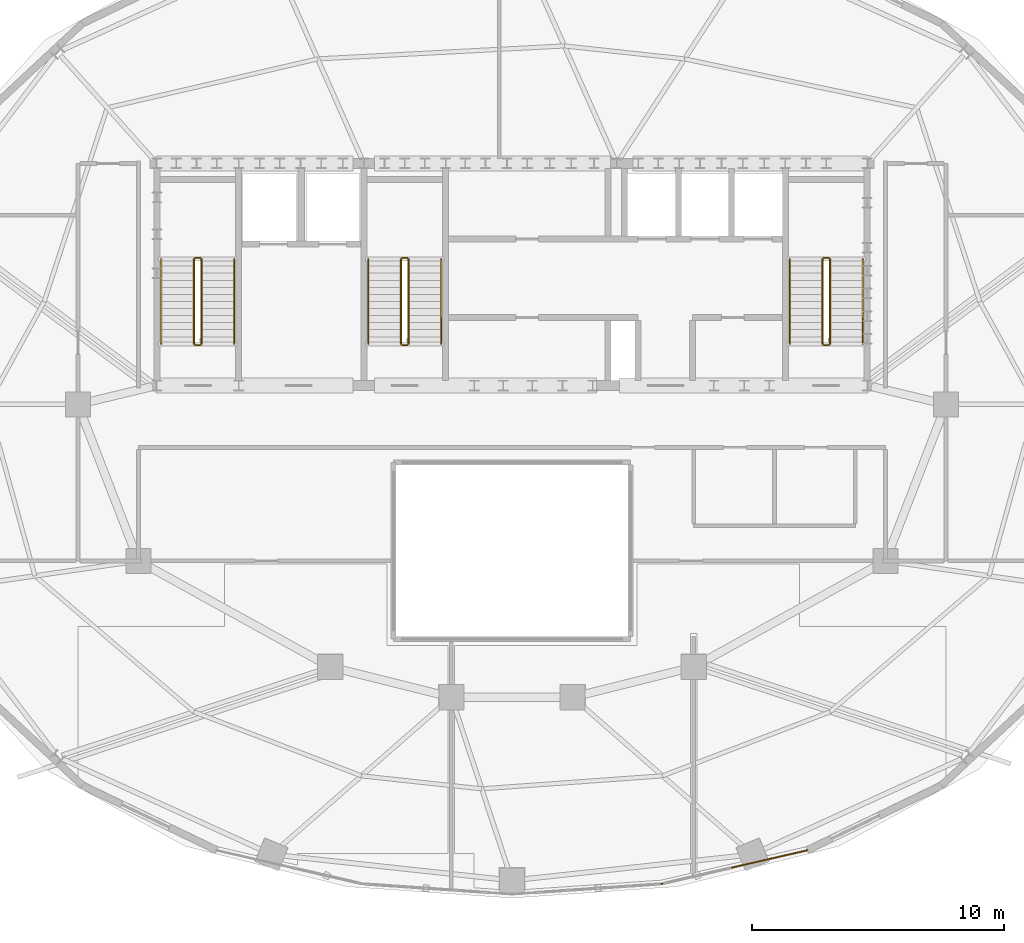
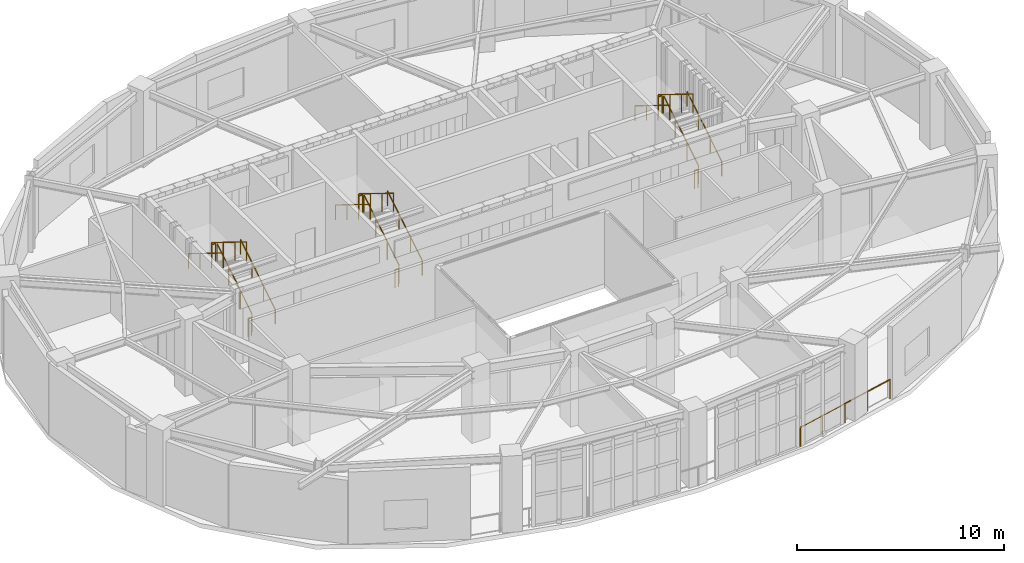
# One storey, part 11 of 11: 19 railings.
"""IFC4 building model written with IfcOpenShell, lengths in metres."""

from ifc_helpers import new_model, si_unit, direction, frame, origin, origin_2d, place, context, subcontext, project, spatial, rectangle, extrude, material, type_object, element, save


model = new_model("IFC4")

# Units and contexts
model_context = context("Model", 3, precision=1e-05, world=origin(), true_north=direction((0.0, 1.0)))
body_context = subcontext(model_context, "Body", "Model", "MODEL_VIEW")
ifc_project = project(units=[si_unit("LENGTHUNIT", "METRE"), si_unit("AREAUNIT", "SQUARE_METRE"), si_unit("VOLUMEUNIT", "CUBIC_METRE"), si_unit("PLANEANGLEUNIT", "RADIAN"), si_unit("MASSUNIT", "GRAM", prefix="KILO")], contexts=[model_context])

# Site, building, storey
site_placement = place(None, origin())
site = spatial("IfcSite", under=ifc_project, at=site_placement, CompositionType="ELEMENT")
building_placement = place(site_placement, origin())
building = spatial("IfcBuilding", under=site, at=building_placement, Name="Haldorwick Loom Tower", CompositionType="ELEMENT")
storey_placement = place(building_placement, frame((0.0, 0.0, 247.800048828125)))
storey = spatial("IfcBuildingStorey", under=building, at=storey_placement, Name="L67", CompositionType="ELEMENT", Elevation=247.800048828125)

# Railings
ifc_material_1 = material(Name="Galvanized Steel CSA G40.21 350W", Category="steel")
railing_type_1 = type_object("IfcRailingType", Name="ARC-RLG-BAL115", PredefinedType="BALUSTRADE", material=ifc_material_1)
railing_1_placement = place(storey_placement, frame((41.91943359375, 7.006103515625, 0.0)))
element("IfcRailing", 1, at=railing_1_placement, inside=storey, type_object=railing_type_1, Name="L67 Curtain-Wall Sill Safety Guardrail 20", PredefinedType="BALUSTRADE", context=body_context, shape_type="SweptSolid", body=[
    extrude(rectangle(XDim=0.048095703125, YDim=0.048095703125, at=origin_2d()), frame((0.0, 0.0, 1.1259765625), z_axis=(0.974589984037, 0.223996345987, 0.0), x_axis=(-0.223996345987, 0.974589984037, 0.0)), (0.0, 0.0, 1.0), 5.92919921875),
    extrude(rectangle(XDim=0.0419921875, YDim=0.0419921875, at=origin_2d()), origin(), (0.0, 0.0, 1.0), 1.101806640625),
    extrude(rectangle(XDim=0.0419921875, YDim=0.0419921875, at=origin_2d()), frame((1.444580078125, 0.33203125, 0.0)), (0.0, 0.0, 1.0), 1.101806640625),
    extrude(rectangle(XDim=0.0419921875, YDim=0.0419921875, at=origin_2d()), frame((2.88916015625, 0.6640625, 0.0)), (0.0, 0.0, 1.0), 1.101806640625),
    extrude(rectangle(XDim=0.0419921875, YDim=0.0419921875, at=origin_2d()), frame((4.333984375, 0.99609375, 0.0)), (0.0, 0.0, 1.0), 1.101806640625),
    extrude(rectangle(XDim=0.0419921875, YDim=0.0419921875, at=origin_2d()), frame((5.778564453125, 1.328125, 0.0)), (0.0, 0.0, 1.0), 1.101806640625),
])
ifc_material_2 = material(Name="Steel CSA G40.21 350W", Category="steel")
railing_type_2 = type_object("IfcRailingType", Name="ARC-RLG-GUARD112", PredefinedType="GUARDRAIL", material=ifc_material_2)
railing_2_placement = place(storey_placement, frame((23.699951171875, 28.39990234375, 0.173095703125)))
element("IfcRailing", 2, at=railing_2_placement, inside=storey, type_object=railing_type_2, Name="L67 ST-01 stair guard 1", PredefinedType="GUARDRAIL", context=body_context, shape_type="SweptSolid", body=[
    extrude(rectangle(XDim=0.048095703125, YDim=0.048095703125, at=origin_2d()), frame((0.0, 0.0, 1.076171875), z_axis=(0.0, 0.850623216509, 0.525775754039), x_axis=(-1.0, 0.0, 0.0)), (0.0, 0.0, 1.0), 3.9501953125),
    extrude(rectangle(XDim=0.0419921875, YDim=0.0419921875, at=origin_2d()), origin(), (0.0, 0.0, 1.0), 1.052001953125),
    extrude(rectangle(XDim=0.0419921875, YDim=0.0419921875, at=origin_2d()), frame((0.0, 1.1201171875, 0.6923828125)), (0.0, 0.0, 1.0), 1.052001953125),
    extrude(rectangle(XDim=0.0419921875, YDim=0.0419921875, at=origin_2d()), frame((0.0, 2.239990234375, 1.384521484375)), (0.0, 0.0, 1.0), 1.052001953125),
    extrude(rectangle(XDim=0.0419921875, YDim=0.0419921875, at=origin_2d()), frame((0.0, 3.360107421875, 2.076904296875)), (0.0, 0.0, 1.0), 1.052001953125),
])
railing_3_placement = place(storey_placement, frame((23.64990234375, 31.81005859375, 2.25)))
element("IfcRailing", 3, at=railing_3_placement, inside=storey, type_object=railing_type_2, Name="L67 ST-01 stair guard 2", PredefinedType="GUARDRAIL", context=body_context, shape_type="SweptSolid", body=[
    extrude(rectangle(XDim=0.048095703125, YDim=0.048095703125, at=origin_2d()), frame((0.0, 0.0, 1.076171875), z_axis=(-1.0, 0.0, 0.0), x_axis=(0.0, -1.0, 0.0)), (0.0, 0.0, 1.0), 0.199951171875),
    extrude(rectangle(XDim=0.0419921875, YDim=0.0419921875, at=origin_2d()), origin(), (0.0, 0.0, 1.0), 1.052001953125),
    extrude(rectangle(XDim=0.0419921875, YDim=0.0419921875, at=origin_2d()), frame((-0.199951171875, 0.0, 0.0)), (0.0, 0.0, 1.0), 1.052001953125),
])
railing_4_placement = place(storey_placement, frame((23.39990234375, 31.760009765625, 2.423095703125)))
element("IfcRailing", 4, at=railing_4_placement, inside=storey, type_object=railing_type_2, Name="L67 ST-01 stair guard 3", PredefinedType="GUARDRAIL", context=body_context, shape_type="SweptSolid", body=[
    extrude(rectangle(XDim=0.048095703125, YDim=0.048095703125, at=origin_2d()), frame((0.0, 0.0, 1.076171875), z_axis=(0.0, -0.850623216509, 0.525775754039), x_axis=(1.0, 0.0, 0.0)), (0.0, 0.0, 1.0), 3.9501953125),
    extrude(rectangle(XDim=0.0419921875, YDim=0.0419921875, at=origin_2d()), origin(), (0.0, 0.0, 1.0), 1.052001953125),
    extrude(rectangle(XDim=0.0419921875, YDim=0.0419921875, at=origin_2d()), frame((0.0, -1.1201171875, 0.6923828125)), (0.0, 0.0, 1.0), 1.052001953125),
    extrude(rectangle(XDim=0.0419921875, YDim=0.0419921875, at=origin_2d()), frame((0.0, -2.239990234375, 1.384521484375)), (0.0, 0.0, 1.0), 1.052001953125),
    extrude(rectangle(XDim=0.0419921875, YDim=0.0419921875, at=origin_2d()), frame((0.0, -3.360107421875, 2.076904296875)), (0.0, 0.0, 1.0), 1.052001953125),
])
railing_5_placement = place(storey_placement, frame((23.64990234375, 28.35009765625, 0.0)))
element("IfcRailing", 5, at=railing_5_placement, inside=storey, type_object=railing_type_2, Name="L67 ST-01 stair guard 4", PredefinedType="GUARDRAIL", context=body_context, shape_type="SweptSolid", body=[
    extrude(rectangle(XDim=0.048095703125, YDim=0.048095703125, at=origin_2d()), frame((0.0, 0.0, 1.076171875), z_axis=(-1.0, 0.0, 0.0), x_axis=(0.0, -1.0, 0.0)), (0.0, 0.0, 1.0), 0.199951171875),
    extrude(rectangle(XDim=0.0419921875, YDim=0.0419921875, at=origin_2d()), origin(), (0.0, 0.0, 1.0), 1.052001953125),
    extrude(rectangle(XDim=0.0419921875, YDim=0.0419921875, at=origin_2d()), frame((-0.199951171875, 0.0, 0.0)), (0.0, 0.0, 1.0), 1.052001953125),
])
railing_6_placement = place(storey_placement, frame((48.60009765625, 28.39990234375, 0.173095703125)))
element("IfcRailing", 6, at=railing_6_placement, inside=storey, type_object=railing_type_2, Name="L67 ST-02 stair guard 1", PredefinedType="GUARDRAIL", context=body_context, shape_type="SweptSolid", body=[
    extrude(rectangle(XDim=0.048095703125, YDim=0.048095703125, at=origin_2d()), frame((0.0, 0.0, 1.076171875), z_axis=(0.0, 0.850623216509, 0.525775754039), x_axis=(-1.0, 0.0, 0.0)), (0.0, 0.0, 1.0), 3.9501953125),
    extrude(rectangle(XDim=0.0419921875, YDim=0.0419921875, at=origin_2d()), origin(), (0.0, 0.0, 1.0), 1.052001953125),
    extrude(rectangle(XDim=0.0419921875, YDim=0.0419921875, at=origin_2d()), frame((0.0, 1.1201171875, 0.6923828125)), (0.0, 0.0, 1.0), 1.052001953125),
    extrude(rectangle(XDim=0.0419921875, YDim=0.0419921875, at=origin_2d()), frame((0.0, 2.239990234375, 1.384521484375)), (0.0, 0.0, 1.0), 1.052001953125),
    extrude(rectangle(XDim=0.0419921875, YDim=0.0419921875, at=origin_2d()), frame((0.0, 3.360107421875, 2.076904296875)), (0.0, 0.0, 1.0), 1.052001953125),
])
railing_7_placement = place(storey_placement, frame((48.550048828125, 31.81005859375, 2.25)))
element("IfcRailing", 7, at=railing_7_placement, inside=storey, type_object=railing_type_2, Name="L67 ST-02 stair guard 2", PredefinedType="GUARDRAIL", context=body_context, shape_type="SweptSolid", body=[
    extrude(rectangle(XDim=0.048095703125, YDim=0.048095703125, at=origin_2d()), frame((0.0, 0.0, 1.076171875), z_axis=(-1.0, 0.0, 0.0), x_axis=(0.0, -1.0, 0.0)), (0.0, 0.0, 1.0), 0.199951171875),
    extrude(rectangle(XDim=0.0419921875, YDim=0.0419921875, at=origin_2d()), origin(), (0.0, 0.0, 1.0), 1.052001953125),
    extrude(rectangle(XDim=0.0419921875, YDim=0.0419921875, at=origin_2d()), frame((-0.199951171875, 0.0, 0.0)), (0.0, 0.0, 1.0), 1.052001953125),
])
railing_8_placement = place(storey_placement, frame((48.300048828125, 31.760009765625, 2.423095703125)))
element("IfcRailing", 8, at=railing_8_placement, inside=storey, type_object=railing_type_2, Name="L67 ST-02 stair guard 3", PredefinedType="GUARDRAIL", context=body_context, shape_type="SweptSolid", body=[
    extrude(rectangle(XDim=0.048095703125, YDim=0.048095703125, at=origin_2d()), frame((0.0, 0.0, 1.076171875), z_axis=(0.0, -0.850623216509, 0.525775754039), x_axis=(1.0, 0.0, 0.0)), (0.0, 0.0, 1.0), 3.9501953125),
    extrude(rectangle(XDim=0.0419921875, YDim=0.0419921875, at=origin_2d()), origin(), (0.0, 0.0, 1.0), 1.052001953125),
    extrude(rectangle(XDim=0.0419921875, YDim=0.0419921875, at=origin_2d()), frame((0.0, -1.1201171875, 0.6923828125)), (0.0, 0.0, 1.0), 1.052001953125),
    extrude(rectangle(XDim=0.0419921875, YDim=0.0419921875, at=origin_2d()), frame((0.0, -2.239990234375, 1.384521484375)), (0.0, 0.0, 1.0), 1.052001953125),
    extrude(rectangle(XDim=0.0419921875, YDim=0.0419921875, at=origin_2d()), frame((0.0, -3.360107421875, 2.076904296875)), (0.0, 0.0, 1.0), 1.052001953125),
])
railing_9_placement = place(storey_placement, frame((48.550048828125, 28.35009765625, 0.0)))
element("IfcRailing", 9, at=railing_9_placement, inside=storey, type_object=railing_type_2, Name="L67 ST-02 stair guard 4", PredefinedType="GUARDRAIL", context=body_context, shape_type="SweptSolid", body=[
    extrude(rectangle(XDim=0.048095703125, YDim=0.048095703125, at=origin_2d()), frame((0.0, 0.0, 1.076171875), z_axis=(-1.0, 0.0, 0.0), x_axis=(0.0, -1.0, 0.0)), (0.0, 0.0, 1.0), 0.199951171875),
    extrude(rectangle(XDim=0.0419921875, YDim=0.0419921875, at=origin_2d()), origin(), (0.0, 0.0, 1.0), 1.052001953125),
    extrude(rectangle(XDim=0.0419921875, YDim=0.0419921875, at=origin_2d()), frame((-0.199951171875, 0.0, 0.0)), (0.0, 0.0, 1.0), 1.052001953125),
])
railing_10_placement = place(storey_placement, frame((31.89990234375, 28.39990234375, 0.173095703125)))
element("IfcRailing", 10, at=railing_10_placement, inside=storey, type_object=railing_type_2, Name="L67 ST-03 stair guard 1", PredefinedType="GUARDRAIL", context=body_context, shape_type="SweptSolid", body=[
    extrude(rectangle(XDim=0.048095703125, YDim=0.048095703125, at=origin_2d()), frame((0.0, 0.0, 1.076171875), z_axis=(0.0, 0.850623216509, 0.525775754039), x_axis=(-1.0, 0.0, 0.0)), (0.0, 0.0, 1.0), 3.9501953125),
    extrude(rectangle(XDim=0.0419921875, YDim=0.0419921875, at=origin_2d()), origin(), (0.0, 0.0, 1.0), 1.052001953125),
    extrude(rectangle(XDim=0.0419921875, YDim=0.0419921875, at=origin_2d()), frame((0.0, 1.1201171875, 0.6923828125)), (0.0, 0.0, 1.0), 1.052001953125),
    extrude(rectangle(XDim=0.0419921875, YDim=0.0419921875, at=origin_2d()), frame((0.0, 2.239990234375, 1.384521484375)), (0.0, 0.0, 1.0), 1.052001953125),
    extrude(rectangle(XDim=0.0419921875, YDim=0.0419921875, at=origin_2d()), frame((0.0, 3.360107421875, 2.076904296875)), (0.0, 0.0, 1.0), 1.052001953125),
])
railing_11_placement = place(storey_placement, frame((31.85009765625, 31.81005859375, 2.25)))
element("IfcRailing", 11, at=railing_11_placement, inside=storey, type_object=railing_type_2, Name="L67 ST-03 stair guard 2", PredefinedType="GUARDRAIL", context=body_context, shape_type="SweptSolid", body=[
    extrude(rectangle(XDim=0.048095703125, YDim=0.048095703125, at=origin_2d()), frame((0.0, 0.0, 1.076171875), z_axis=(-1.0, 0.0, 0.0), x_axis=(0.0, -1.0, 0.0)), (0.0, 0.0, 1.0), 0.2001953125),
    extrude(rectangle(XDim=0.0419921875, YDim=0.0419921875, at=origin_2d()), origin(), (0.0, 0.0, 1.0), 1.052001953125),
    extrude(rectangle(XDim=0.0419921875, YDim=0.0419921875, at=origin_2d()), frame((-0.2001953125, 0.0, 0.0)), (0.0, 0.0, 1.0), 1.052001953125),
])
railing_12_placement = place(storey_placement, frame((31.60009765625, 31.760009765625, 2.423095703125)))
element("IfcRailing", 12, at=railing_12_placement, inside=storey, type_object=railing_type_2, Name="L67 ST-03 stair guard 3", PredefinedType="GUARDRAIL", context=body_context, shape_type="SweptSolid", body=[
    extrude(rectangle(XDim=0.048095703125, YDim=0.048095703125, at=origin_2d()), frame((0.0, 0.0, 1.076171875), z_axis=(0.0, -0.850623216509, 0.525775754039), x_axis=(1.0, 0.0, 0.0)), (0.0, 0.0, 1.0), 3.9501953125),
    extrude(rectangle(XDim=0.0419921875, YDim=0.0419921875, at=origin_2d()), origin(), (0.0, 0.0, 1.0), 1.052001953125),
    extrude(rectangle(XDim=0.0419921875, YDim=0.0419921875, at=origin_2d()), frame((0.0, -1.1201171875, 0.6923828125)), (0.0, 0.0, 1.0), 1.052001953125),
    extrude(rectangle(XDim=0.0419921875, YDim=0.0419921875, at=origin_2d()), frame((0.0, -2.239990234375, 1.384521484375)), (0.0, 0.0, 1.0), 1.052001953125),
    extrude(rectangle(XDim=0.0419921875, YDim=0.0419921875, at=origin_2d()), frame((0.0, -3.360107421875, 2.076904296875)), (0.0, 0.0, 1.0), 1.052001953125),
])
railing_13_placement = place(storey_placement, frame((31.85009765625, 28.35009765625, 0.0)))
element("IfcRailing", 13, at=railing_13_placement, inside=storey, type_object=railing_type_2, Name="L67 ST-03 stair guard 4", PredefinedType="GUARDRAIL", context=body_context, shape_type="SweptSolid", body=[
    extrude(rectangle(XDim=0.048095703125, YDim=0.048095703125, at=origin_2d()), frame((0.0, 0.0, 1.076171875), z_axis=(-1.0, 0.0, 0.0), x_axis=(0.0, -1.0, 0.0)), (0.0, 0.0, 1.0), 0.2001953125),
    extrude(rectangle(XDim=0.0419921875, YDim=0.0419921875, at=origin_2d()), origin(), (0.0, 0.0, 1.0), 1.052001953125),
    extrude(rectangle(XDim=0.0419921875, YDim=0.0419921875, at=origin_2d()), frame((-0.2001953125, 0.0, 0.0)), (0.0, 0.0, 1.0), 1.052001953125),
])
railing_type_3 = type_object("IfcRailingType", Name="ARC-RLG-HAND092", PredefinedType="HANDRAIL", material=ifc_material_2)
railing_14_placement = place(storey_placement, frame((25.0, 28.39990234375, 0.173095703125)))
element("IfcRailing", 14, at=railing_14_placement, inside=storey, type_object=railing_type_3, Name="L67 ST-01 stair handrail 1", PredefinedType="HANDRAIL", context=body_context, shape_type="SweptSolid", body=[
    extrude(rectangle(XDim=0.048095703125, YDim=0.048095703125, at=origin_2d()), frame((0.0, 0.0, 0.8759765625), z_axis=(0.0, 0.850623216509, 0.525775754039), x_axis=(-1.0, 0.0, 0.0)), (0.0, 0.0, 1.0), 3.9501953125),
    extrude(rectangle(XDim=0.0419921875, YDim=0.0419921875, at=origin_2d()), origin(), (0.0, 0.0, 1.0), 0.851806640625),
    extrude(rectangle(XDim=0.0419921875, YDim=0.0419921875, at=origin_2d()), frame((0.0, 1.1201171875, 0.6923828125)), (0.0, 0.0, 1.0), 0.851806640625),
    extrude(rectangle(XDim=0.0419921875, YDim=0.0419921875, at=origin_2d()), frame((0.0, 2.239990234375, 1.384521484375)), (0.0, 0.0, 1.0), 0.851806640625),
    extrude(rectangle(XDim=0.0419921875, YDim=0.0419921875, at=origin_2d()), frame((0.0, 3.360107421875, 2.076904296875)), (0.0, 0.0, 1.0), 0.851806640625),
])
railing_15_placement = place(storey_placement, frame((22.10009765625, 31.760009765625, 2.423095703125)))
element("IfcRailing", 15, at=railing_15_placement, inside=storey, type_object=railing_type_3, Name="L67 ST-01 stair handrail 2", PredefinedType="HANDRAIL", context=body_context, shape_type="SweptSolid", body=[
    extrude(rectangle(XDim=0.048095703125, YDim=0.048095703125, at=origin_2d()), frame((0.0, 0.0, 0.8759765625), z_axis=(0.0, -0.850623216509, 0.525775754039), x_axis=(1.0, 0.0, 0.0)), (0.0, 0.0, 1.0), 3.9501953125),
    extrude(rectangle(XDim=0.0419921875, YDim=0.0419921875, at=origin_2d()), origin(), (0.0, 0.0, 1.0), 0.851806640625),
    extrude(rectangle(XDim=0.0419921875, YDim=0.0419921875, at=origin_2d()), frame((0.0, -1.1201171875, 0.6923828125)), (0.0, 0.0, 1.0), 0.851806640625),
    extrude(rectangle(XDim=0.0419921875, YDim=0.0419921875, at=origin_2d()), frame((0.0, -2.239990234375, 1.384521484375)), (0.0, 0.0, 1.0), 0.851806640625),
    extrude(rectangle(XDim=0.0419921875, YDim=0.0419921875, at=origin_2d()), frame((0.0, -3.360107421875, 2.076904296875)), (0.0, 0.0, 1.0), 0.851806640625),
])
railing_16_placement = place(storey_placement, frame((49.89990234375, 28.39990234375, 0.173095703125)))
element("IfcRailing", 16, at=railing_16_placement, inside=storey, type_object=railing_type_3, Name="L67 ST-02 stair handrail 1", PredefinedType="HANDRAIL", context=body_context, shape_type="SweptSolid", body=[
    extrude(rectangle(XDim=0.048095703125, YDim=0.048095703125, at=origin_2d()), frame((0.0, 0.0, 0.8759765625), z_axis=(0.0, 0.850623216509, 0.525775754039), x_axis=(-1.0, 0.0, 0.0)), (0.0, 0.0, 1.0), 3.9501953125),
    extrude(rectangle(XDim=0.0419921875, YDim=0.0419921875, at=origin_2d()), origin(), (0.0, 0.0, 1.0), 0.851806640625),
    extrude(rectangle(XDim=0.0419921875, YDim=0.0419921875, at=origin_2d()), frame((0.0, 1.1201171875, 0.6923828125)), (0.0, 0.0, 1.0), 0.851806640625),
    extrude(rectangle(XDim=0.0419921875, YDim=0.0419921875, at=origin_2d()), frame((0.0, 2.239990234375, 1.384521484375)), (0.0, 0.0, 1.0), 0.851806640625),
    extrude(rectangle(XDim=0.0419921875, YDim=0.0419921875, at=origin_2d()), frame((0.0, 3.360107421875, 2.076904296875)), (0.0, 0.0, 1.0), 0.851806640625),
])
railing_17_placement = place(storey_placement, frame((47.0, 31.760009765625, 2.423095703125)))
element("IfcRailing", 17, at=railing_17_placement, inside=storey, type_object=railing_type_3, Name="L67 ST-02 stair handrail 2", PredefinedType="HANDRAIL", context=body_context, shape_type="SweptSolid", body=[
    extrude(rectangle(XDim=0.048095703125, YDim=0.048095703125, at=origin_2d()), frame((0.0, 0.0, 0.8759765625), z_axis=(0.0, -0.850623216509, 0.525775754039), x_axis=(1.0, 0.0, 0.0)), (0.0, 0.0, 1.0), 3.9501953125),
    extrude(rectangle(XDim=0.0419921875, YDim=0.0419921875, at=origin_2d()), origin(), (0.0, 0.0, 1.0), 0.851806640625),
    extrude(rectangle(XDim=0.0419921875, YDim=0.0419921875, at=origin_2d()), frame((0.0, -1.1201171875, 0.6923828125)), (0.0, 0.0, 1.0), 0.851806640625),
    extrude(rectangle(XDim=0.0419921875, YDim=0.0419921875, at=origin_2d()), frame((0.0, -2.239990234375, 1.384521484375)), (0.0, 0.0, 1.0), 0.851806640625),
    extrude(rectangle(XDim=0.0419921875, YDim=0.0419921875, at=origin_2d()), frame((0.0, -3.360107421875, 2.076904296875)), (0.0, 0.0, 1.0), 0.851806640625),
])
railing_18_placement = place(storey_placement, frame((33.199951171875, 28.39990234375, 0.173095703125)))
element("IfcRailing", 18, at=railing_18_placement, inside=storey, type_object=railing_type_3, Name="L67 ST-03 stair handrail 1", PredefinedType="HANDRAIL", context=body_context, shape_type="SweptSolid", body=[
    extrude(rectangle(XDim=0.048095703125, YDim=0.048095703125, at=origin_2d()), frame((0.0, 0.0, 0.8759765625), z_axis=(0.0, 0.850623216509, 0.525775754039), x_axis=(-1.0, 0.0, 0.0)), (0.0, 0.0, 1.0), 3.9501953125),
    extrude(rectangle(XDim=0.0419921875, YDim=0.0419921875, at=origin_2d()), origin(), (0.0, 0.0, 1.0), 0.851806640625),
    extrude(rectangle(XDim=0.0419921875, YDim=0.0419921875, at=origin_2d()), frame((0.0, 1.1201171875, 0.6923828125)), (0.0, 0.0, 1.0), 0.851806640625),
    extrude(rectangle(XDim=0.0419921875, YDim=0.0419921875, at=origin_2d()), frame((0.0, 2.239990234375, 1.384521484375)), (0.0, 0.0, 1.0), 0.851806640625),
    extrude(rectangle(XDim=0.0419921875, YDim=0.0419921875, at=origin_2d()), frame((0.0, 3.360107421875, 2.076904296875)), (0.0, 0.0, 1.0), 0.851806640625),
])
railing_19_placement = place(storey_placement, frame((30.300048828125, 31.760009765625, 2.423095703125)))
element("IfcRailing", 19, at=railing_19_placement, inside=storey, type_object=railing_type_3, Name="L67 ST-03 stair handrail 2", PredefinedType="HANDRAIL", context=body_context, shape_type="SweptSolid", body=[
    extrude(rectangle(XDim=0.048095703125, YDim=0.048095703125, at=origin_2d()), frame((0.0, 0.0, 0.8759765625), z_axis=(0.0, -0.850623216509, 0.525775754039), x_axis=(1.0, 0.0, 0.0)), (0.0, 0.0, 1.0), 3.9501953125),
    extrude(rectangle(XDim=0.0419921875, YDim=0.0419921875, at=origin_2d()), origin(), (0.0, 0.0, 1.0), 0.851806640625),
    extrude(rectangle(XDim=0.0419921875, YDim=0.0419921875, at=origin_2d()), frame((0.0, -1.1201171875, 0.6923828125)), (0.0, 0.0, 1.0), 0.851806640625),
    extrude(rectangle(XDim=0.0419921875, YDim=0.0419921875, at=origin_2d()), frame((0.0, -2.239990234375, 1.384521484375)), (0.0, 0.0, 1.0), 0.851806640625),
    extrude(rectangle(XDim=0.0419921875, YDim=0.0419921875, at=origin_2d()), frame((0.0, -3.360107421875, 2.076904296875)), (0.0, 0.0, 1.0), 0.851806640625),
])

save(model, "model.ifc")
